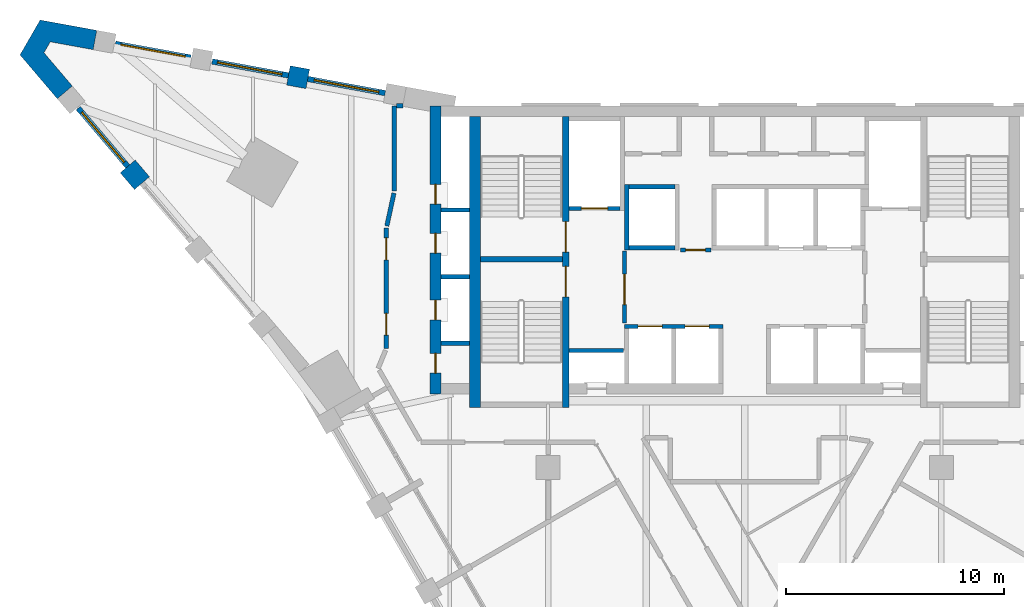
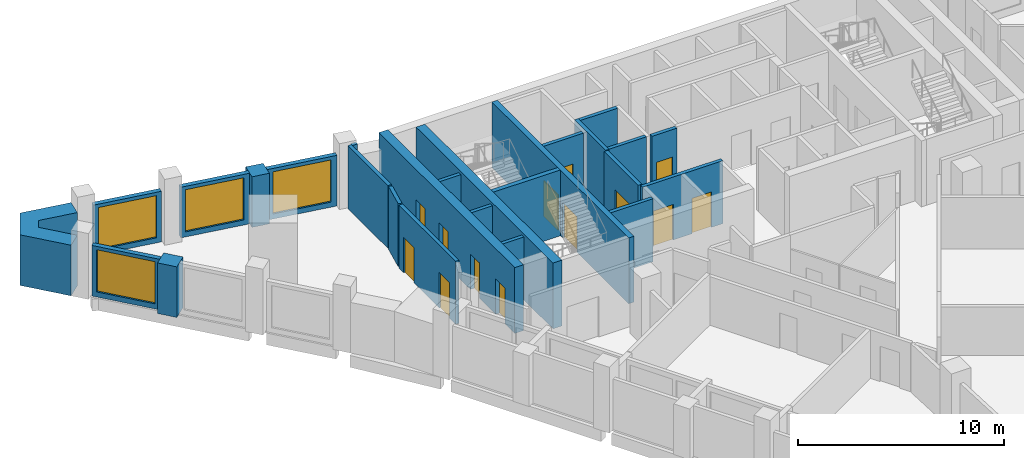
# One storey, part 5 of 9: 26 walls, 13 doors, 4 windows, 17 openings.
"""IFC4 building model written with IfcOpenShell, lengths in metres."""

from ifc_helpers import new_model, si_unit, direction, frame, frame_2d, origin, place, context, subcontext, project, spatial, polyline, rectangle, outline, extrude, material, layer, layer_set, type_object, element, fill, save


model = new_model("IFC4")

# Units and contexts
model_context = context("Model", 3, precision=1e-05, world=origin(), true_north=direction((0.0, 1.0)))
body_context = subcontext(model_context, "Body", "Model", "MODEL_VIEW")
ifc_project = project(units=[si_unit("LENGTHUNIT", "METRE"), si_unit("AREAUNIT", "SQUARE_METRE"), si_unit("VOLUMEUNIT", "CUBIC_METRE"), si_unit("PLANEANGLEUNIT", "RADIAN"), si_unit("MASSUNIT", "GRAM", prefix="KILO")], contexts=[model_context])

# Site, building, storey
site_placement = place(None, origin())
site = spatial("IfcSite", under=ifc_project, at=site_placement, CompositionType="ELEMENT")
building_placement = place(site_placement, origin())
building = spatial("IfcBuilding", under=site, at=building_placement, Name="Calabash Gate Tower", CompositionType="ELEMENT")
storey_placement = place(building_placement, frame((0.0, 0.0, 219.800048828125)))
storey = spatial("IfcBuildingStorey", under=building, at=storey_placement, Name="L52", CompositionType="ELEMENT", Elevation=219.800048828125)

# Walls
ifc_material_1 = material(Name="Terracotta brick masonry, exposed face", Category="masonry")
ifc_layer_1 = layer(ifc_material_1, 0.89990234375)
ifc_layer_set_1 = layer_set([ifc_layer_1], Name="Brick end wall 900")
wall_type_1 = type_object("IfcWallType", Name="Brick end wall 900", PredefinedType="SOLIDWALL", material=ifc_layer_set_1)
wall_1_placement = place(storey_placement, frame((-20.52099609375, 19.91796875, 0.0), z_axis=(0.0, 0.0, 1.0), x_axis=(0.180126650564, 0.983643426124, 0.0)))
element("IfcWall", 1, at=wall_1_placement, inside=storey, type_object=wall_type_1, Name="Brick pier S15 wedge5.1", PredefinedType="SOLIDWALL", context=body_context, shape_type="SweptSolid", body=[
    extrude(rectangle(XDim=0.89990234375, YDim=0.89990234375, at=frame_2d((0.449951171875, 0.0))), origin(), (0.0, 0.0, 1.0), 3.0),
])
wall_2_placement = place(storey_placement, frame((-27.587890625, 15.511474609375, 0.0), z_axis=(0.0, 0.0, 1.0), x_axis=(-0.647641360564, 0.761945318305, 0.0)))
element("IfcWall", 2, at=wall_2_placement, inside=storey, type_object=wall_type_1, Name="Brick pier S15 wedge7.1", PredefinedType="SOLIDWALL", context=body_context, shape_type="SweptSolid", body=[
    extrude(rectangle(XDim=1.00390625, YDim=0.89990234375, at=frame_2d((0.501953125, 0.0))), origin(), (0.0, 0.0, 1.0), 3.0),
])
wall_3_placement = place(storey_placement, origin())
element("IfcWall", 3, at=wall_3_placement, inside=storey, type_object=wall_type_1, Name="Brick end wall S15 2", PredefinedType="SOLIDWALL", context=body_context, shape_type="SweptSolid", body=[
    extrude(outline(polyline([(-31.784423828125, 21.978759765625), (-29.816650390625, 21.618896484375), (-29.654541015625, 22.504150390625), (-32.24658203125, 22.978271484375), (-33.168701171875, 21.38134765625), (-31.4619140625, 19.373779296875), (-30.776123046875, 19.956787109375), (-32.072021484375, 21.48095703125), (-31.784423828125, 21.978759765625)])), origin(), (0.0, 0.0, 1.0), 3.0),
])
ifc_material_2 = material(Name="Concrete C70/85", Category="concrete")
ifc_layer_2 = layer(ifc_material_2, 0.25)
ifc_layer_set_2 = layer_set([ifc_layer_2], Name="Core wall 250 Concrete C70/85")
wall_type_2 = type_object("IfcWallType", Name="Core wall 250 Concrete C70/85", PredefinedType="SHEAR", material=ifc_layer_set_2)
wall_4_placement = place(storey_placement, frame((-12.10009765625, 12.027587890625, 0.0), z_axis=(0.0, 0.0, 1.0), x_axis=(1.0, 0.0, 0.0)))
element("IfcWall", 4, at=wall_4_placement, inside=storey, type_object=wall_type_2, Name="Core wall Z4-MIDW L52", PredefinedType="SHEAR", context=body_context, shape_type="SweptSolid", body=[
    extrude(rectangle(XDim=3.75, YDim=0.25, at=frame_2d((1.875, 0.0))), origin(), (0.0, 0.0, 1.0), 3.89990234375),
])

# Wall, openings, doors
ifc_material_3 = material(Name="Concrete C70/85", Category="concrete")
ifc_layer_3 = layer(ifc_material_3, 0.300048828125)
ifc_layer_set_3 = layer_set([ifc_layer_3], Name="Core wall 300 Concrete C70/85")
wall_type_3 = type_object("IfcWallType", Name="Core wall 300 Concrete C70/85", PredefinedType="SHEAR", material=ifc_layer_set_3)
wall_5_placement = place(storey_placement, frame((-8.199951171875, 5.252685546875, 0.0), z_axis=(0.0, 0.0, 1.0), x_axis=(0.0, 1.0, 0.0)))
wall_5 = element("IfcWall", 5, at=wall_5_placement, inside=storey, type_object=wall_type_3, Name="Core wall Z4-PARTW L52", PredefinedType="SHEAR", context=body_context, shape_type="SweptSolid", body=[
    extrude(rectangle(XDim=13.2998046875, YDim=0.300048828125, at=frame_2d((6.64990234375, 0.0))), origin(), (0.0, 0.0, 1.0), 3.89990234375),
])
opening_1_placement = place(wall_5_placement, frame((7.10009765625, 0.0, 0.0)))
opening_1 = element("IfcOpeningElement", 6, at=opening_1_placement, cuts=wall_5, Name="Opening O7-018", PredefinedType="OPENING", context=body_context, shape_type="SweptSolid", body=[
    extrude(rectangle(XDim=1.39990234375, YDim=2.10009765625, at=frame_2d((0.699951171875, 1.050048828125))), frame((0.0, 0.159912109375, 0.0), z_axis=(0.0, -1.0, 0.0), x_axis=(1.0, 0.0, 0.0)), (0.0, 0.0, 1.0), 0.320068359375),
])
opening_2_placement = place(wall_5_placement, frame((5.050048828125, 0.0, 0.0)))
opening_2 = element("IfcOpeningElement", 7, at=opening_2_placement, cuts=wall_5, Name="Opening O7-019", PredefinedType="OPENING", context=body_context, shape_type="SweptSolid", body=[
    extrude(rectangle(XDim=1.39990234375, YDim=2.10009765625, at=frame_2d((0.699951171875, 1.050048828125))), frame((0.0, 0.159912109375, 0.0), z_axis=(0.0, -1.0, 0.0), x_axis=(1.0, 0.0, 0.0)), (0.0, 0.0, 1.0), 0.320068359375),
])
ifc_material_4 = material(Name="Steel fire door set with fire-resisting glazing", Category="steel")
door_type_1 = type_object("IfcDoorType", Name="Fire door D05 1400x2100 FD90", OperationType="NOTDEFINED", PredefinedType="DOOR", material=ifc_material_4)
door_1_placement = place(opening_1_placement, origin())
door_1 = element("IfcDoor", 8, at=door_1_placement, inside=storey, type_object=door_type_1, Name="Exit stair door ST1", OperationType="SINGLE_SWING_LEFT", OverallHeight=2.10009765625, OverallWidth=1.39990234375, PredefinedType="DOOR", context=body_context, shape_type="SweptSolid", body=[
    extrude(rectangle(XDim=1.39990234375, YDim=2.10009765625, at=frame_2d((0.699951171875, 1.050048828125))), frame((0.0, 0.02490234375, 0.0), z_axis=(0.0, -1.0, 0.0), x_axis=(1.0, 0.0, 0.0)), (0.0, 0.0, 1.0), 0.050048828125),
])
fill(opening_1, door_1)
door_2_placement = place(opening_2_placement, origin())
door_2 = element("IfcDoor", 9, at=door_2_placement, inside=storey, type_object=door_type_1, Name="Exit stair door ST2", OperationType="SINGLE_SWING_LEFT", OverallHeight=2.10009765625, OverallWidth=1.39990234375, PredefinedType="DOOR", context=body_context, shape_type="SweptSolid", body=[
    extrude(rectangle(XDim=1.39990234375, YDim=2.10009765625, at=frame_2d((0.699951171875, 1.050048828125))), frame((0.0, 0.02490234375, 0.0), z_axis=(0.0, -1.0, 0.0), x_axis=(1.0, 0.0, 0.0)), (0.0, 0.0, 1.0), 0.050048828125),
])
fill(opening_2, door_2)

# Wall
ifc_material_5 = material(Name="Concrete C70/85", Category="concrete")
ifc_layer_4 = layer(ifc_material_5, 0.5)
ifc_layer_set_4 = layer_set([ifc_layer_4], Name="Core wall 500 Concrete C70/85")
wall_type_4 = type_object("IfcWallType", Name="Core wall 500 Concrete C70/85", PredefinedType="SHEAR", material=ifc_layer_set_4)
wall_6_placement = place(storey_placement, frame((-12.35009765625, 5.252685546875, 0.0), z_axis=(0.0, 0.0, 1.0), x_axis=(0.0, 1.0, 0.0)))
element("IfcWall", 10, at=wall_6_placement, inside=storey, type_object=wall_type_4, Name="Core wall Z4-COLW L52", PredefinedType="SHEAR", context=body_context, shape_type="SweptSolid", body=[
    extrude(rectangle(XDim=13.2998046875, YDim=0.5, at=frame_2d((6.64990234375, 0.0))), origin(), (0.0, 0.0, 1.0), 3.89990234375),
])

# Wall, openings, doors
wall_7_placement = place(storey_placement, frame((-14.14990234375, 5.8525390625, 0.0), z_axis=(0.0, 0.0, 1.0), x_axis=(0.0, 1.0, 0.0)))
wall_7 = element("IfcWall", 11, at=wall_7_placement, inside=storey, type_object=wall_type_4, Name="Core wall Z4-ENDW L52", PredefinedType="SHEAR", context=body_context, shape_type="SweptSolid", body=[
    extrude(rectangle(XDim=13.199951171875, YDim=0.5, at=frame_2d((6.60009765625, 0.0))), origin(), (0.0, 0.0, 1.0), 3.89990234375),
])
opening_3_placement = place(wall_7_placement, frame((0.965087890625, 0.0, 0.0)))
opening_3 = element("IfcOpeningElement", 12, at=opening_3_placement, cuts=wall_7, Name="Opening O7-005", PredefinedType="OPENING", context=body_context, shape_type="SweptSolid", body=[
    extrude(rectangle(XDim=0.89990234375, YDim=2.10009765625, at=frame_2d((0.449951171875, 1.050048828125))), frame((0.0, 0.260009765625, 0.0), z_axis=(0.0, -1.0, 0.0), x_axis=(1.0, 0.0, 0.0)), (0.0, 0.0, 1.0), 0.52001953125),
])
opening_4_placement = place(wall_7_placement, frame((3.405029296875, 0.0, 0.0)))
opening_4 = element("IfcOpeningElement", 13, at=opening_4_placement, cuts=wall_7, Name="Opening O7-006", PredefinedType="OPENING", context=body_context, shape_type="SweptSolid", body=[
    extrude(rectangle(XDim=0.89990234375, YDim=2.10009765625, at=frame_2d((0.449951171875, 1.050048828125))), frame((0.0, 0.260009765625, 0.0), z_axis=(0.0, -1.0, 0.0), x_axis=(1.0, 0.0, 0.0)), (0.0, 0.0, 1.0), 0.52001953125),
])
opening_5_placement = place(wall_7_placement, frame((6.455078125, 0.0, 0.0)))
opening_5 = element("IfcOpeningElement", 14, at=opening_5_placement, cuts=wall_7, Name="Opening O7-007", PredefinedType="OPENING", context=body_context, shape_type="SweptSolid", body=[
    extrude(rectangle(XDim=0.89990234375, YDim=2.10009765625, at=frame_2d((0.449951171875, 1.050048828125))), frame((0.0, 0.260009765625, 0.0), z_axis=(0.0, -1.0, 0.0), x_axis=(1.0, 0.0, 0.0)), (0.0, 0.0, 1.0), 0.52001953125),
])
opening_6_placement = place(wall_7_placement, frame((8.697509765625, 0.0, 0.0)))
opening_6 = element("IfcOpeningElement", 15, at=opening_6_placement, cuts=wall_7, Name="Opening O7-008", PredefinedType="OPENING", context=body_context, shape_type="SweptSolid", body=[
    extrude(rectangle(XDim=0.89990234375, YDim=2.10009765625, at=frame_2d((0.449951171875, 1.050048828125))), frame((0.0, 0.260009765625, 0.0), z_axis=(0.0, -1.0, 0.0), x_axis=(1.0, 0.0, 0.0)), (0.0, 0.0, 1.0), 0.52001953125),
])
ifc_material_6 = material(Name="Steel fire door set with fire-resisting glazing", Category="steel")
door_type_2 = type_object("IfcDoorType", Name="Fire door D06 900x2100 FD60", OperationType="NOTDEFINED", PredefinedType="DOOR", material=ifc_material_6)
door_3_placement = place(opening_3_placement, origin())
door_3 = element("IfcDoor", 16, at=door_3_placement, inside=storey, type_object=door_type_2, Name="Cleaner's Store door", OperationType="SINGLE_SWING_LEFT", OverallHeight=2.10009765625, OverallWidth=0.89990234375, PredefinedType="DOOR", context=body_context, shape_type="SweptSolid", body=[
    extrude(rectangle(XDim=0.89990234375, YDim=2.10009765625, at=frame_2d((0.449951171875, 1.050048828125))), frame((0.0, 0.02490234375, 0.0), z_axis=(0.0, -1.0, 0.0), x_axis=(1.0, 0.0, 0.0)), (0.0, 0.0, 1.0), 0.050048828125),
])
fill(opening_3, door_3)
door_4_placement = place(opening_4_placement, origin())
door_4 = element("IfcDoor", 17, at=door_4_placement, inside=storey, type_object=door_type_2, Name="Duct Riser door", OperationType="SINGLE_SWING_LEFT", OverallHeight=2.10009765625, OverallWidth=0.89990234375, PredefinedType="DOOR", context=body_context, shape_type="SweptSolid", body=[
    extrude(rectangle(XDim=0.89990234375, YDim=2.10009765625, at=frame_2d((0.449951171875, 1.050048828125))), frame((0.0, 0.02490234375, 0.0), z_axis=(0.0, -1.0, 0.0), x_axis=(1.0, 0.0, 0.0)), (0.0, 0.0, 1.0), 0.050048828125),
])
fill(opening_4, door_4)
door_5_placement = place(opening_5_placement, origin())
door_5 = element("IfcDoor", 18, at=door_5_placement, inside=storey, type_object=door_type_2, Name="Electrical Riser door", OperationType="SINGLE_SWING_LEFT", OverallHeight=2.10009765625, OverallWidth=0.89990234375, PredefinedType="DOOR", context=body_context, shape_type="SweptSolid", body=[
    extrude(rectangle(XDim=0.89990234375, YDim=2.10009765625, at=frame_2d((0.449951171875, 1.050048828125))), frame((0.0, 0.02490234375, 0.0), z_axis=(0.0, -1.0, 0.0), x_axis=(1.0, 0.0, 0.0)), (0.0, 0.0, 1.0), 0.050048828125),
])
fill(opening_5, door_5)
door_6_placement = place(opening_6_placement, origin())
door_6 = element("IfcDoor", 19, at=door_6_placement, inside=storey, type_object=door_type_2, Name="Comms Riser door", OperationType="SINGLE_SWING_LEFT", OverallHeight=2.10009765625, OverallWidth=0.89990234375, PredefinedType="DOOR", context=body_context, shape_type="SweptSolid", body=[
    extrude(rectangle(XDim=0.89990234375, YDim=2.10009765625, at=frame_2d((0.449951171875, 1.050048828125))), frame((0.0, 0.02490234375, 0.0), z_axis=(0.0, -1.0, 0.0), x_axis=(1.0, 0.0, 0.0)), (0.0, 0.0, 1.0), 0.050048828125),
])
fill(opening_6, door_6)

ifc_material_7 = material(Name="Gypsum board on steel studs, mineral wool", Category="steel")
ifc_layer_5 = layer(ifc_material_7, 0.199951171875)
ifc_layer_set_5 = layer_set([ifc_layer_5], Name="Partition 200 gypsum board EI 60")
wall_type_5 = type_object("IfcWallType", Name="Partition 200 gypsum board EI 60", PredefinedType="PARTITIONING", material=ifc_layer_set_5)
wall_8_placement = place(storey_placement, frame((-16.400390625, 7.95263671875, 0.0), z_axis=(0.0, 0.0, 1.0), x_axis=(0.0, 1.0, 0.0)))
wall_8 = element("IfcWall", 20, at=wall_8_placement, inside=storey, type_object=wall_type_5, Name="Partition", PredefinedType="PARTITIONING", context=body_context, shape_type="SweptSolid", body=[
    extrude(rectangle(XDim=5.5, YDim=0.199951171875, at=frame_2d((2.75, 0.0))), origin(), (0.0, 0.0, 1.0), 3.72998046875),
])
opening_7_placement = place(wall_8_placement, frame((0.60009765625, 0.0, 0.0)))
opening_7 = element("IfcOpeningElement", 21, at=opening_7_placement, cuts=wall_8, Name="Opening 52-54-005", PredefinedType="OPENING", context=body_context, shape_type="SweptSolid", body=[
    extrude(rectangle(XDim=1.0, YDim=2.10009765625, at=frame_2d((0.5, 1.050048828125))), frame((0.0, 0.10986328125, 0.0), z_axis=(0.0, -1.0, 0.0), x_axis=(1.0, 0.0, 0.0)), (0.0, 0.0, 1.0), 0.219970703125),
])
opening_8_placement = place(wall_8_placement, frame((4.0498046875, 0.0, 0.0)))
opening_8 = element("IfcOpeningElement", 22, at=opening_8_placement, cuts=wall_8, Name="Opening 52-54-006", PredefinedType="OPENING", context=body_context, shape_type="SweptSolid", body=[
    extrude(rectangle(XDim=1.0, YDim=2.10009765625, at=frame_2d((0.5, 1.050048828125))), frame((0.0, 0.10986328125, 0.0), z_axis=(0.0, -1.0, 0.0), x_axis=(1.0, 0.0, 0.0)), (0.0, 0.0, 1.0), 0.219970703125),
])
ifc_material_8 = material(Name="Steel fire door set with fire-resisting glazing", Category="steel")
door_type_3 = type_object("IfcDoorType", Name="LD2 Meeting room door 1000x2100", OperationType="NOTDEFINED", PredefinedType="DOOR", material=ifc_material_8)
door_7_placement = place(opening_7_placement, origin())
door_7 = element("IfcDoor", 23, at=door_7_placement, inside=storey, type_object=door_type_3, Name="Meeting room door", OperationType="SINGLE_SWING_RIGHT", OverallHeight=2.10009765625, OverallWidth=1.0, PredefinedType="DOOR", context=body_context, shape_type="SweptSolid", body=[
    extrude(rectangle(XDim=1.0, YDim=2.10009765625, at=frame_2d((0.5, 1.050048828125))), frame((0.0, 0.02490234375, 0.0), z_axis=(0.0, -1.0, 0.0), x_axis=(1.0, 0.0, 0.0)), (0.0, 0.0, 1.0), 0.050048828125),
])
fill(opening_7, door_7)
door_8_placement = place(opening_8_placement, origin())
door_8 = element("IfcDoor", 24, at=door_8_placement, inside=storey, type_object=door_type_3, Name="Meeting room door", OperationType="SINGLE_SWING_LEFT", OverallHeight=2.10009765625, OverallWidth=1.0, PredefinedType="DOOR", context=body_context, shape_type="SweptSolid", body=[
    extrude(rectangle(XDim=1.0, YDim=2.10009765625, at=frame_2d((0.5, 1.050048828125))), frame((0.0, 0.02490234375, 0.0), z_axis=(0.0, -1.0, 0.0), x_axis=(1.0, 0.0, 0.0)), (0.0, 0.0, 1.0), 0.050048828125),
])
fill(opening_8, door_8)

# Walls
wall_9_placement = place(storey_placement, frame((-16.37939453125, 13.55029296875, 0.0), z_axis=(0.0, 0.0, 1.0), x_axis=(0.212008297386, 0.977267865961, 0.0)))
element("IfcWall", 25, at=wall_9_placement, inside=storey, type_object=wall_type_5, Name="Partition", PredefinedType="PARTITIONING", context=body_context, shape_type="SweptSolid", body=[
    extrude(rectangle(XDim=1.53955078125, YDim=0.199951171875, at=frame_2d((0.769775390625, 0.0))), origin(), (0.0, 0.0, 1.0), 3.72998046875),
])
wall_10_placement = place(storey_placement, frame((-16.031982421875, 15.152587890625, 0.0), z_axis=(0.0, 0.0, 1.0), x_axis=(0.0, 1.0, 0.0)))
element("IfcWall", 26, at=wall_10_placement, inside=storey, type_object=wall_type_5, Name="Partition", PredefinedType="PARTITIONING", context=body_context, shape_type="SweptSolid", body=[
    extrude(rectangle(XDim=3.89990234375, YDim=0.199951171875, at=frame_2d((1.949951171875, 0.0))), origin(), (0.0, 0.0, 1.0), 3.72998046875),
])
wall_11_placement = place(storey_placement, frame((-15.931884765625, 19.052490234375, 0.0), z_axis=(0.0, 0.0, 1.0), x_axis=(1.0, 0.0, 0.0)))
element("IfcWall", 27, at=wall_11_placement, inside=storey, type_object=wall_type_5, Name="Partition", PredefinedType="PARTITIONING", context=body_context, shape_type="SweptSolid", body=[
    extrude(rectangle(XDim=0.28515625, YDim=0.199951171875, at=frame_2d((0.142578125, 0.0))), origin(), (0.0, 0.0, 1.0), 3.72998046875),
])

# Wall, opening, window
ifc_material_9 = material(Name="Aluminium framed window wall with insulated spandrel", Category="aluminium")
ifc_layer_6 = layer(ifc_material_9, 0.25)
ifc_layer_set_6 = layer_set([ifc_layer_6], Name="Prow window wall 250")
wall_type_6 = type_object("IfcWallType", Name="Prow window wall 250", PredefinedType="ELEMENTEDWALL", material=ifc_layer_set_6)
wall_12_placement = place(storey_placement, frame((-16.4560546875, 19.631591796875, 0.0), z_axis=(0.0, 0.0, 1.0), x_axis=(-0.983669647318, 0.17998340186, 0.0)))
wall_12 = element("IfcWall", 28, at=wall_12_placement, inside=storey, type_object=wall_type_6, Name="Prow window wall S15 wedge5.1", PredefinedType="ELEMENTEDWALL", context=body_context, shape_type="SweptSolid", body=[
    extrude(rectangle(XDim=3.60009765625, YDim=0.25, at=frame_2d((1.800048828125, 0.0))), origin(), (0.0, 0.0, 1.0), 3.0),
])
opening_9_placement = place(wall_12_placement, frame((0.300048828125, 0.0, 0.300048828125)))
opening_9 = element("IfcOpeningElement", 29, at=opening_9_placement, cuts=wall_12, Name="Opening WP2", PredefinedType="OPENING", context=body_context, shape_type="SweptSolid", body=[
    extrude(rectangle(XDim=3.0, YDim=2.5, at=frame_2d((1.5, 1.25))), frame((0.0, 0.135009765625, 0.0), z_axis=(0.0, -1.0, 0.0), x_axis=(1.0, 0.0, 0.0)), (0.0, 0.0, 1.0), 0.27001953125),
])
ifc_material_10 = material(Name="Anodised aluminium frame, bronze finish, impact-rated laminated clear glazing", Category="aluminium")
window_type = type_object("IfcWindowType", Name="Window WP2 3000x2500", PartitioningType="DOUBLE_PANEL_VERTICAL", PredefinedType="WINDOW", material=ifc_material_10)
window_1_placement = place(opening_9_placement, origin())
window_1 = element("IfcWindow", 30, at=window_1_placement, inside=storey, type_object=window_type, Name="Prow window WP2 S15 wedge5.1", OverallHeight=2.5, OverallWidth=3.0, PartitioningType="SINGLE_PANEL", PredefinedType="WINDOW", context=body_context, shape_type="SweptSolid", body=[
    extrude(rectangle(XDim=3.0, YDim=2.5, at=frame_2d((1.5, 1.25))), frame((0.0, 0.030029296875, 0.0), z_axis=(0.0, -1.0, 0.0), x_axis=(1.0, 0.0, 0.0)), (0.0, 0.0, 1.0), 0.06005859375),
])
fill(opening_9, window_1)

wall_13_placement = place(storey_placement, frame((-20.880615234375, 20.441162109375, 0.0), z_axis=(0.0, 0.0, 1.0), x_axis=(-0.98366583261, 0.180004249274, 0.0)))
wall_13 = element("IfcWall", 31, at=wall_13_placement, inside=storey, type_object=wall_type_6, Name="Prow window wall S15 wedge5.2", PredefinedType="ELEMENTEDWALL", context=body_context, shape_type="SweptSolid", body=[
    extrude(rectangle(XDim=3.55224609375, YDim=0.25, at=frame_2d((1.776123046875, 0.0))), origin(), (0.0, 0.0, 1.0), 3.0),
])
opening_10_placement = place(wall_13_placement, frame((0.302001953125, 0.0, 0.300048828125)))
opening_10 = element("IfcOpeningElement", 32, at=opening_10_placement, cuts=wall_13, Name="Opening WP2", PredefinedType="OPENING", context=body_context, shape_type="SweptSolid", body=[
    extrude(rectangle(XDim=3.0, YDim=2.5, at=frame_2d((1.5, 1.25))), frame((0.0, 0.135009765625, 0.0), z_axis=(0.0, -1.0, 0.0), x_axis=(1.0, 0.0, 0.0)), (0.0, 0.0, 1.0), 0.27001953125),
])
window_2_placement = place(opening_10_placement, origin())
window_2 = element("IfcWindow", 33, at=window_2_placement, inside=storey, type_object=window_type, Name="Prow window WP2 S15 wedge5.2", OverallHeight=2.5, OverallWidth=3.0, PartitioningType="SINGLE_PANEL", PredefinedType="WINDOW", context=body_context, shape_type="SweptSolid", body=[
    extrude(rectangle(XDim=3.0, YDim=2.5, at=frame_2d((1.5, 1.25))), frame((0.0, 0.030029296875, 0.0), z_axis=(0.0, -1.0, 0.0), x_axis=(1.0, 0.0, 0.0)), (0.0, 0.0, 1.0), 0.06005859375),
])
fill(opening_10, window_2)

wall_14_placement = place(storey_placement, frame((-25.3583984375, 21.260498046875, 0.0), z_axis=(0.0, 0.0, 1.0), x_axis=(-0.983672889292, 0.179965682483, 0.0)))
wall_14 = element("IfcWall", 34, at=wall_14_placement, inside=storey, type_object=wall_type_6, Name="Prow window wall S15 wedge5.3", PredefinedType="ELEMENTEDWALL", context=body_context, shape_type="SweptSolid", body=[
    extrude(rectangle(XDim=3.5, YDim=0.25, at=frame_2d((1.75, 0.0))), origin(), (0.0, 0.0, 1.0), 3.0),
])
opening_11_placement = place(wall_14_placement, frame((0.25, 0.0, 0.300048828125)))
opening_11 = element("IfcOpeningElement", 35, at=opening_11_placement, cuts=wall_14, Name="Opening WP2", PredefinedType="OPENING", context=body_context, shape_type="SweptSolid", body=[
    extrude(rectangle(XDim=3.0, YDim=2.5, at=frame_2d((1.5, 1.25))), frame((0.0, 0.135009765625, 0.0), z_axis=(0.0, -1.0, 0.0), x_axis=(1.0, 0.0, 0.0)), (0.0, 0.0, 1.0), 0.27001953125),
])
window_3_placement = place(opening_11_placement, origin())
window_3 = element("IfcWindow", 36, at=window_3_placement, inside=storey, type_object=window_type, Name="Prow window WP2 S15 wedge5.3", OverallHeight=2.5, OverallWidth=3.0, PartitioningType="SINGLE_PANEL", PredefinedType="WINDOW", context=body_context, shape_type="SweptSolid", body=[
    extrude(rectangle(XDim=3.0, YDim=2.5, at=frame_2d((1.5, 1.25))), frame((0.0, 0.030029296875, 0.0), z_axis=(0.0, -1.0, 0.0), x_axis=(1.0, 0.0, 0.0)), (0.0, 0.0, 1.0), 0.06005859375),
])
fill(opening_11, window_3)

wall_15_placement = place(storey_placement, frame((-30.503662109375, 18.94140625, 0.0), z_axis=(0.0, 0.0, 1.0), x_axis=(0.647701065937, -0.761894565661, 0.0)))
wall_15 = element("IfcWall", 37, at=wall_15_placement, inside=storey, type_object=wall_type_6, Name="Prow window wall S15 wedge7.1", PredefinedType="ELEMENTEDWALL", context=body_context, shape_type="SweptSolid", body=[
    extrude(rectangle(XDim=3.499755859375, YDim=0.25, at=frame_2d((1.75, 0.0))), origin(), (0.0, 0.0, 1.0), 3.0),
])
opening_12_placement = place(wall_15_placement, frame((0.25, 0.0, 0.300048828125)))
opening_12 = element("IfcOpeningElement", 38, at=opening_12_placement, cuts=wall_15, Name="Opening WP2", PredefinedType="OPENING", context=body_context, shape_type="SweptSolid", body=[
    extrude(rectangle(XDim=3.0, YDim=2.5, at=frame_2d((1.5, 1.25))), frame((0.0, 0.135009765625, 0.0), z_axis=(0.0, -1.0, 0.0), x_axis=(1.0, 0.0, 0.0)), (0.0, 0.0, 1.0), 0.27001953125),
])
window_4_placement = place(opening_12_placement, origin())
window_4 = element("IfcWindow", 39, at=window_4_placement, inside=storey, type_object=window_type, Name="Prow window WP2 S15 wedge7.1", OverallHeight=2.5, OverallWidth=3.0, PartitioningType="SINGLE_PANEL", PredefinedType="WINDOW", context=body_context, shape_type="SweptSolid", body=[
    extrude(rectangle(XDim=3.0, YDim=2.5, at=frame_2d((1.5, 1.25))), frame((0.0, 0.030029296875, 0.0), z_axis=(0.0, -1.0, 0.0), x_axis=(1.0, 0.0, 0.0)), (0.0, 0.0, 1.0), 0.06005859375),
])
fill(opening_12, window_4)

# Walls
ifc_material_11 = material(Name="Concrete C40/50", Category="concrete")
ifc_layer_7 = layer(ifc_material_11, 0.199951171875)
ifc_layer_set_7 = layer_set([ifc_layer_7], Name="Shaft wall 200 Concrete C40/50")
wall_type_7 = type_object("IfcWallType", Name="Shaft wall 200 Concrete C40/50", PredefinedType="SOLIDWALL", material=ifc_layer_set_7)
wall_16_placement = place(storey_placement, frame((-8.050048828125, 7.8525390625, 0.0), z_axis=(0.0, 0.0, 1.0), x_axis=(1.0, 0.0, 0.0)))
element("IfcWall", 40, at=wall_16_placement, inside=storey, type_object=wall_type_7, Name="Shaft wall", PredefinedType="SOLIDWALL", context=body_context, shape_type="SweptSolid", body=[
    extrude(rectangle(XDim=2.5, YDim=0.199951171875, at=frame_2d((1.25, 0.0))), origin(), (0.0, 0.0, 1.0), 3.72998046875),
])
wall_17_placement = place(storey_placement, frame((-13.89990234375, 8.1826171875, 0.0), z_axis=(0.0, 0.0, 1.0), x_axis=(1.0, 0.0, 0.0)))
element("IfcWall", 41, at=wall_17_placement, inside=storey, type_object=wall_type_7, Name="Shaft wall", PredefinedType="SOLIDWALL", context=body_context, shape_type="SweptSolid", body=[
    extrude(rectangle(XDim=1.2998046875, YDim=0.199951171875, at=frame_2d((0.64990234375, 0.0))), origin(), (0.0, 0.0, 1.0), 3.72998046875),
])

# Wall, openings, doors
wall_18_placement = place(storey_placement, frame((-5.5, 8.95263671875, 0.0), z_axis=(0.0, 0.0, 1.0), x_axis=(1.0, 0.0, 0.0)))
wall_18 = element("IfcWall", 42, at=wall_18_placement, inside=storey, type_object=wall_type_7, Name="Shaft wall", PredefinedType="SOLIDWALL", context=body_context, shape_type="SweptSolid", body=[
    extrude(rectangle(XDim=4.5, YDim=0.199951171875, at=frame_2d((2.25, 0.0))), origin(), (0.0, 0.0, 1.0), 3.72998046875),
])
opening_13_placement = place(wall_18_placement, frame((0.625, 0.0, 0.0)))
opening_13 = element("IfcOpeningElement", 43, at=opening_13_placement, cuts=wall_18, Name="Opening LD-HR1", PredefinedType="OPENING", context=body_context, shape_type="SweptSolid", body=[
    extrude(rectangle(XDim=1.10009765625, YDim=2.10009765625, at=frame_2d((0.550048828125, 1.050048828125))), frame((0.0, 0.10986328125, 0.0), z_axis=(0.0, -1.0, 0.0), x_axis=(1.0, 0.0, 0.0)), (0.0, 0.0, 1.0), 0.219970703125),
])
opening_14_placement = place(wall_18_placement, frame((2.77490234375, 0.0, 0.0)))
opening_14 = element("IfcOpeningElement", 44, at=opening_14_placement, cuts=wall_18, Name="Opening LD-HR2", PredefinedType="OPENING", context=body_context, shape_type="SweptSolid", body=[
    extrude(rectangle(XDim=1.10009765625, YDim=2.10009765625, at=frame_2d((0.550048828125, 1.050048828125))), frame((0.0, 0.10986328125, 0.0), z_axis=(0.0, -1.0, 0.0), x_axis=(1.0, 0.0, 0.0)), (0.0, 0.0, 1.0), 0.219970703125),
])
ifc_material_12 = material(Name="Stainless steel sliding door leaves", Category="steel")
door_type_4 = type_object("IfcDoorType", Name="Lift landing door LS1 1100x2100 FD90", OperationType="DOUBLE_DOOR_SLIDING", PredefinedType="DOOR", material=ifc_material_12)
door_9_placement = place(opening_13_placement, origin())
door_9 = element("IfcDoor", 45, at=door_9_placement, inside=storey, type_object=door_type_4, Name="Lift landing door HR1", OperationType="DOUBLE_DOOR_SLIDING", OverallHeight=2.10009765625, OverallWidth=1.10009765625, PredefinedType="DOOR", context=body_context, shape_type="SweptSolid", body=[
    extrude(rectangle(XDim=1.10009765625, YDim=2.10009765625, at=frame_2d((0.550048828125, 1.050048828125))), frame((0.0, 0.02490234375, 0.0), z_axis=(0.0, -1.0, 0.0), x_axis=(1.0, 0.0, 0.0)), (0.0, 0.0, 1.0), 0.050048828125),
])
fill(opening_13, door_9)
door_10_placement = place(opening_14_placement, origin())
door_10 = element("IfcDoor", 46, at=door_10_placement, inside=storey, type_object=door_type_4, Name="Lift landing door HR2", OperationType="DOUBLE_DOOR_SLIDING", OverallHeight=2.10009765625, OverallWidth=1.10009765625, PredefinedType="DOOR", context=body_context, shape_type="SweptSolid", body=[
    extrude(rectangle(XDim=1.10009765625, YDim=2.10009765625, at=frame_2d((0.550048828125, 1.050048828125))), frame((0.0, 0.02490234375, 0.0), z_axis=(0.0, -1.0, 0.0), x_axis=(1.0, 0.0, 0.0)), (0.0, 0.0, 1.0), 0.050048828125),
])
fill(opening_14, door_10)

# Wall, opening, door
wall_19_placement = place(storey_placement, frame((-5.5, 9.1025390625, 0.0), z_axis=(0.0, 0.0, 1.0), x_axis=(0.0, 1.0, 0.0)))
wall_19 = element("IfcWall", 47, at=wall_19_placement, inside=storey, type_object=wall_type_7, Name="Shaft wall", PredefinedType="SOLIDWALL", context=body_context, shape_type="SweptSolid", body=[
    extrude(rectangle(XDim=3.300048828125, YDim=0.199951171875, at=frame_2d((1.64990234375, 0.0))), origin(), (0.0, 0.0, 1.0), 3.72998046875),
])
opening_15_placement = place(wall_19_placement, frame((0.85009765625, 0.0, 0.0)))
opening_15 = element("IfcOpeningElement", 48, at=opening_15_placement, cuts=wall_19, Name="Opening O7-011", PredefinedType="OPENING", context=body_context, shape_type="SweptSolid", body=[
    extrude(rectangle(XDim=1.39990234375, YDim=2.10009765625, at=frame_2d((0.699951171875, 1.050048828125))), frame((0.0, 0.10986328125, 0.0), z_axis=(0.0, -1.0, 0.0), x_axis=(1.0, 0.0, 0.0)), (0.0, 0.0, 1.0), 0.219970703125),
])
door_11_placement = place(opening_15_placement, origin())
door_11 = element("IfcDoor", 49, at=door_11_placement, inside=storey, type_object=door_type_1, Name="Firefighting Lobby W door", OperationType="SINGLE_SWING_RIGHT", OverallHeight=2.10009765625, OverallWidth=1.39990234375, PredefinedType="DOOR", context=body_context, shape_type="SweptSolid", body=[
    extrude(rectangle(XDim=1.39990234375, YDim=2.10009765625, at=frame_2d((0.699951171875, 1.050048828125))), frame((0.0, 0.02490234375, 0.0), z_axis=(0.0, -1.0, 0.0), x_axis=(1.0, 0.0, 0.0)), (0.0, 0.0, 1.0), 0.050048828125),
])
fill(opening_15, door_11)

# Wall
wall_20_placement = place(storey_placement, frame((-13.89990234375, 11.232666015625, 0.0), z_axis=(0.0, 0.0, 1.0), x_axis=(1.0, 0.0, 0.0)))
element("IfcWall", 50, at=wall_20_placement, inside=storey, type_object=wall_type_7, Name="Shaft wall", PredefinedType="SOLIDWALL", context=body_context, shape_type="SweptSolid", body=[
    extrude(rectangle(XDim=1.2998046875, YDim=0.199951171875, at=frame_2d((0.64990234375, 0.0))), origin(), (0.0, 0.0, 1.0), 3.72998046875),
])

# Wall, opening, door
wall_21_placement = place(storey_placement, frame((-2.949951171875, 12.45263671875, 0.0), z_axis=(0.0, 0.0, 1.0), x_axis=(1.0, 0.0, 0.0)))
wall_21 = element("IfcWall", 51, at=wall_21_placement, inside=storey, type_object=wall_type_7, Name="Shaft wall", PredefinedType="SOLIDWALL", context=body_context, shape_type="SweptSolid", body=[
    extrude(rectangle(XDim=1.39990234375, YDim=0.199951171875, at=frame_2d((0.699951171875, 0.0))), origin(), (0.0, 0.0, 1.0), 3.72998046875),
])
opening_16_placement = place(wall_21_placement, frame((0.25, 0.0, 0.0)))
opening_16 = element("IfcOpeningElement", 52, at=opening_16_placement, cuts=wall_21, Name="Opening O7-009", PredefinedType="OPENING", context=body_context, shape_type="SweptSolid", body=[
    extrude(rectangle(XDim=0.89990234375, YDim=2.10009765625, at=frame_2d((0.449951171875, 1.050048828125))), frame((0.0, 0.10986328125, 0.0), z_axis=(0.0, -1.0, 0.0), x_axis=(1.0, 0.0, 0.0)), (0.0, 0.0, 1.0), 0.219970703125),
])
door_12_placement = place(opening_16_placement, origin())
door_12 = element("IfcDoor", 53, at=door_12_placement, inside=storey, type_object=door_type_2, Name="Service Corridor door", OperationType="SINGLE_SWING_RIGHT", OverallHeight=2.10009765625, OverallWidth=0.89990234375, PredefinedType="DOOR", context=body_context, shape_type="SweptSolid", body=[
    extrude(rectangle(XDim=0.89990234375, YDim=2.10009765625, at=frame_2d((0.449951171875, 1.050048828125))), frame((0.0, 0.02490234375, 0.0), z_axis=(0.0, -1.0, 0.0), x_axis=(1.0, 0.0, 0.0)), (0.0, 0.0, 1.0), 0.050048828125),
])
fill(opening_16, door_12)

# Walls
wall_22_placement = place(storey_placement, frame((-5.39990234375, 12.45263671875, 0.0), z_axis=(0.0, 0.0, 1.0), x_axis=(0.0, 1.0, 0.0)))
element("IfcWall", 54, at=wall_22_placement, inside=storey, type_object=wall_type_7, Name="Shaft wall", PredefinedType="SOLIDWALL", context=body_context, shape_type="SweptSolid", body=[
    extrude(rectangle(XDim=3.0, YDim=0.199951171875, at=frame_2d((1.5, 0.0))), origin(), (0.0, 0.0, 1.0), 3.72998046875),
])
wall_23_placement = place(storey_placement, frame((-5.300048828125, 12.552490234375, 0.0), z_axis=(0.0, 0.0, 1.0), x_axis=(1.0, 0.0, 0.0)))
element("IfcWall", 55, at=wall_23_placement, inside=storey, type_object=wall_type_7, Name="Shaft wall", PredefinedType="SOLIDWALL", context=body_context, shape_type="SweptSolid", body=[
    extrude(rectangle(XDim=2.10009765625, YDim=0.199951171875, at=frame_2d((1.050048828125, 0.0))), origin(), (0.0, 0.0, 1.0), 3.72998046875),
])
wall_24_placement = place(storey_placement, frame((-13.89990234375, 14.28271484375, 0.0), z_axis=(0.0, 0.0, 1.0), x_axis=(1.0, 0.0, 0.0)))
element("IfcWall", 56, at=wall_24_placement, inside=storey, type_object=wall_type_7, Name="Shaft wall", PredefinedType="SOLIDWALL", context=body_context, shape_type="SweptSolid", body=[
    extrude(rectangle(XDim=1.2998046875, YDim=0.199951171875, at=frame_2d((0.64990234375, 0.0))), origin(), (0.0, 0.0, 1.0), 3.72998046875),
])

# Wall, opening, door
wall_25_placement = place(storey_placement, frame((-8.050048828125, 14.3525390625, 0.0), z_axis=(0.0, 0.0, 1.0), x_axis=(1.0, 0.0, 0.0)))
wall_25 = element("IfcWall", 57, at=wall_25_placement, inside=storey, type_object=wall_type_7, Name="Shaft wall", PredefinedType="SOLIDWALL", context=body_context, shape_type="SweptSolid", body=[
    extrude(rectangle(XDim=2.35009765625, YDim=0.199951171875, at=frame_2d((1.175048828125, 0.0))), origin(), (0.0, 0.0, 1.0), 3.72998046875),
])
opening_17_placement = place(wall_25_placement, frame((0.574951171875, 0.0, 0.0)))
opening_17 = element("IfcOpeningElement", 58, at=opening_17_placement, cuts=wall_25, Name="Opening LD-FF1", PredefinedType="OPENING", context=body_context, shape_type="SweptSolid", body=[
    extrude(rectangle(XDim=1.199951171875, YDim=2.10009765625, at=frame_2d((0.60009765625, 1.050048828125))), frame((0.0, 0.10986328125, 0.0), z_axis=(0.0, -1.0, 0.0), x_axis=(1.0, 0.0, 0.0)), (0.0, 0.0, 1.0), 0.219970703125),
])
ifc_material_13 = material(Name="Stainless steel sliding door leaves", Category="steel")
door_type_5 = type_object("IfcDoorType", Name="Lift landing door LS3 1200x2100 FD90", OperationType="DOUBLE_DOOR_SLIDING", PredefinedType="DOOR", material=ifc_material_13)
door_13_placement = place(opening_17_placement, origin())
door_13 = element("IfcDoor", 59, at=door_13_placement, inside=storey, type_object=door_type_5, Name="Lift landing door FF1", OperationType="DOUBLE_DOOR_SLIDING", OverallHeight=2.10009765625, OverallWidth=1.199951171875, PredefinedType="DOOR", context=body_context, shape_type="SweptSolid", body=[
    extrude(rectangle(XDim=1.199951171875, YDim=2.10009765625, at=frame_2d((0.60009765625, 1.050048828125))), frame((0.0, 0.02490234375, 0.0), z_axis=(0.0, -1.0, 0.0), x_axis=(1.0, 0.0, 0.0)), (0.0, 0.0, 1.0), 0.050048828125),
])
fill(opening_17, door_13)

# Wall
wall_26_placement = place(storey_placement, frame((-5.300048828125, 15.3525390625, 0.0), z_axis=(0.0, 0.0, 1.0), x_axis=(1.0, 0.0, 0.0)))
element("IfcWall", 60, at=wall_26_placement, inside=storey, type_object=wall_type_7, Name="Shaft wall", PredefinedType="SOLIDWALL", context=body_context, shape_type="SweptSolid", body=[
    extrude(rectangle(XDim=2.10009765625, YDim=0.199951171875, at=frame_2d((1.050048828125, 0.0))), origin(), (0.0, 0.0, 1.0), 3.72998046875),
])

save(model, "model.ifc")
